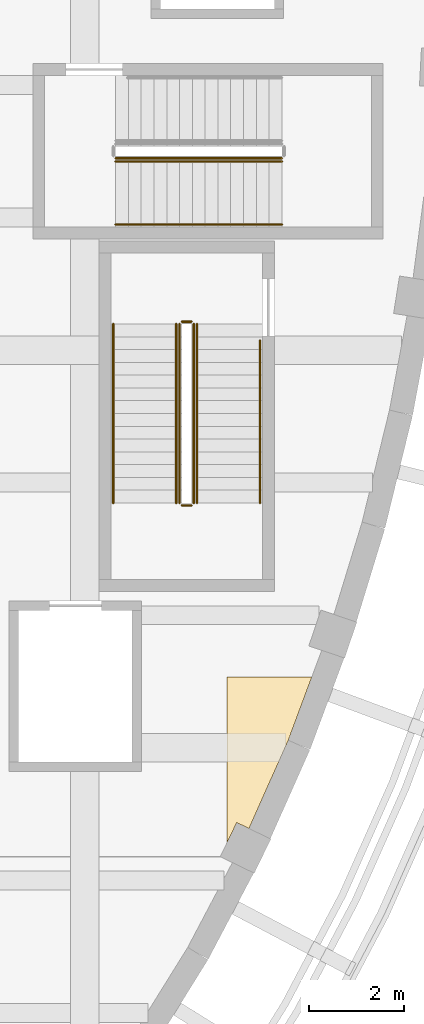
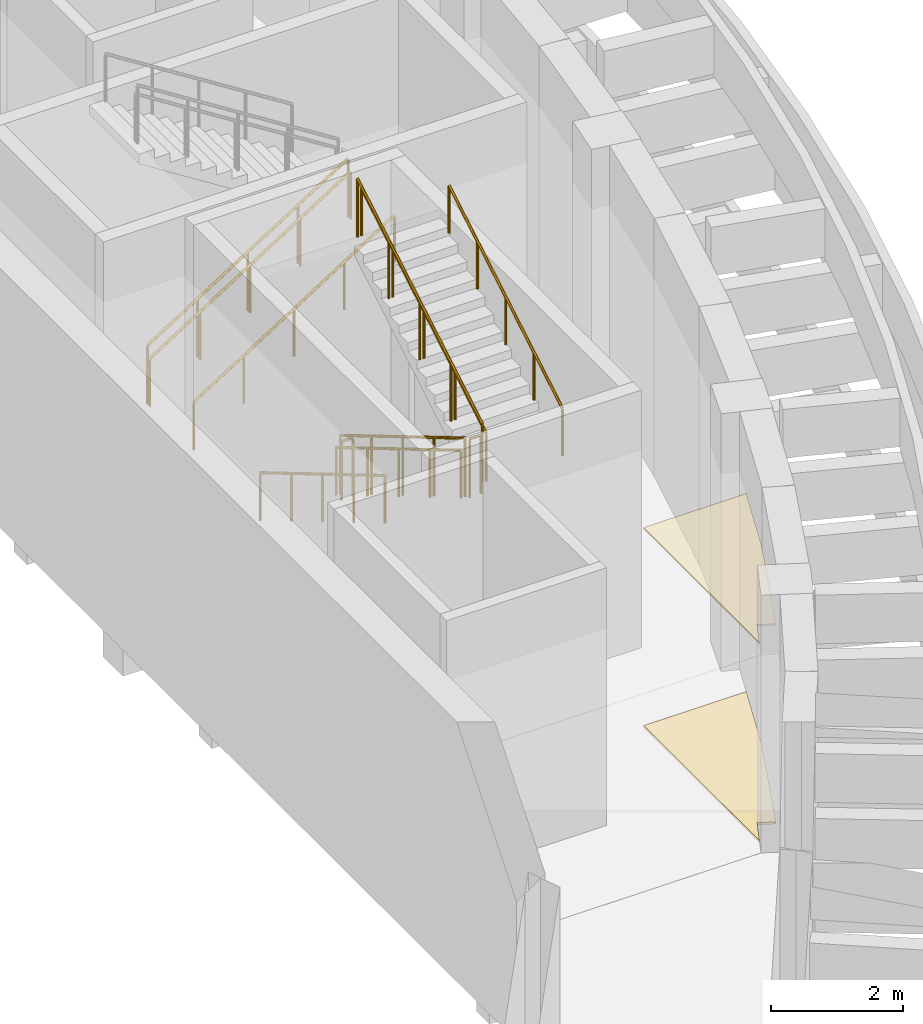
# One storey, part 30 of 37: 11 railings, 2 coverings.
"""IFC4 building model written with IfcOpenShell, lengths in metres."""

from ifc_helpers import new_model, si_unit, direction, frame, origin, origin_2d, place, context, subcontext, project, spatial, polyline, circle, outline, extrude, material, layer, layer_set, type_object, element, save


model = new_model("IFC4")

# Units and contexts
model_context = context("Model", 3, precision=1e-05, world=origin(), true_north=direction((0.0, 1.0)))
body_context = subcontext(model_context, "Body", "Model", "MODEL_VIEW")
ifc_project = project(units=[si_unit("LENGTHUNIT", "METRE"), si_unit("AREAUNIT", "SQUARE_METRE"), si_unit("VOLUMEUNIT", "CUBIC_METRE"), si_unit("PLANEANGLEUNIT", "RADIAN"), si_unit("MASSUNIT", "GRAM", prefix="KILO")], contexts=[model_context])

# Site, building, storey
site_placement = place(None, origin())
site = spatial("IfcSite", under=ifc_project, at=site_placement, CompositionType="ELEMENT")
building_placement = place(site_placement, origin())
building = spatial("IfcBuilding", under=site, at=building_placement, Name="Larchfold Concert Hall", CompositionType="ELEMENT")
storey_placement = place(building_placement, frame((0.0, 0.0, 19.199951171875)))
storey = spatial("IfcBuildingStorey", under=building, at=storey_placement, Name="L04", CompositionType="ELEMENT", Elevation=19.199951171875)

# Coverings
ifc_material_1 = material(Name="Plasterboard ceiling lining")
ifc_layer_1 = layer(ifc_material_1, 0.030029296875)
ifc_layer_set_1 = layer_set([ifc_layer_1], Name="Plasterboard ceiling lining")
covering_type_1 = type_object("IfcCoveringType", Name="Ceiling suspended plasterboard 30", PredefinedType="CEILING", material=ifc_layer_set_1)
covering_1_placement = place(storey_placement, frame((0.0, 0.0, 3.670166015625)))
element("IfcCovering", 1, at=covering_1_placement, inside=storey, type_object=covering_type_1, Name="Ceiling Hall Foyer South East", PredefinedType="CEILING", context=body_context, shape_type="SweptSolid", body=[
    extrude(outline(polyline([(62.865966796875, 66.0966796875), (63.69287109375, 67.953369140625), (64.19384765625, 69.300048828125), (62.400146484375, 69.300048828125), (62.400146484375, 65.79345703125), (62.607666015625, 66.2216796875), (62.865966796875, 66.0966796875)])), origin(), (0.0, 0.0, 1.0), 0.030029296875),
])
ifc_material_2 = material(Name="Polished terrazzo")
ifc_layer_2 = layer(ifc_material_2, 0.0400390625)
ifc_layer_set_2 = layer_set([ifc_layer_2], Name="Polished terrazzo")
covering_type_2 = type_object("IfcCoveringType", Name="Floor finish terrazzo 40", PredefinedType="FLOORING", material=ifc_layer_set_2)
covering_2_placement = place(storey_placement, origin())
element("IfcCovering", 2, at=covering_2_placement, inside=storey, type_object=covering_type_2, Name="Floor finish Hall Foyer South East", PredefinedType="FLOORING", context=body_context, shape_type="SweptSolid", body=[
    extrude(outline(polyline([(62.865966796875, 66.0966796875), (63.69287109375, 67.953369140625), (64.19384765625, 69.300048828125), (62.400146484375, 69.300048828125), (62.400146484375, 65.79345703125), (62.607666015625, 66.2216796875), (62.865966796875, 66.0966796875)])), origin(), (0.0, 0.0, 1.0), 0.0400390625),
])

# Railings
ifc_material_3 = material(Name="Stainless steel balustrade", Category="steel")
railing_type_1 = type_object("IfcRailingType", Name="Stair guard 1100", PredefinedType="GUARDRAIL", material=ifc_material_3)
railing_1_placement = place(storey_placement, frame((61.39990234375, 76.75, 0.16015625)))
element("IfcRailing", 3, at=railing_1_placement, inside=storey, type_object=railing_type_1, Name="Guard GR0023", PredefinedType="GUARDRAIL", context=body_context, shape_type="SweptSolid", body=[
    extrude(circle(Radius=0.02392578125, at=origin_2d()), frame((0.0, 0.0, 1.076171875), z_axis=(0.0, -0.860294241299, 0.509797821089), x_axis=(1.0, 0.0, 0.0)), (0.0, 0.0, 1.0), 4.393798828125),
    extrude(circle(Radius=0.02099609375, at=origin_2d()), origin(), (0.0, 0.0, 1.0), 1.052001953125),
    extrude(circle(Radius=0.02099609375, at=origin_2d()), frame((0.0, -0.945068359375, 0.56005859375)), (0.0, 0.0, 1.0), 1.052001953125),
    extrude(circle(Radius=0.02099609375, at=origin_2d()), frame((0.0, -1.89013671875, 1.1201171875)), (0.0, 0.0, 1.0), 1.052001953125),
    extrude(circle(Radius=0.02099609375, at=origin_2d()), frame((0.0, -2.8349609375, 1.679931640625)), (0.0, 0.0, 1.0), 1.052001953125),
    extrude(circle(Radius=0.02099609375, at=origin_2d()), frame((0.0, -3.780029296875, 2.239990234375)), (0.0, 0.0, 1.0), 1.052001953125),
])
railing_2_placement = place(storey_placement, frame((61.449951171875, 72.919921875, 2.400146484375)))
element("IfcRailing", 4, at=railing_2_placement, inside=storey, type_object=railing_type_1, Name="Guard GR0024", PredefinedType="GUARDRAIL", context=body_context, shape_type="SweptSolid", body=[
    extrude(circle(Radius=0.02392578125, at=origin_2d()), frame((0.0, 0.0, 1.076171875), z_axis=(1.0, 0.0, 0.0), x_axis=(0.0, 1.0, 0.0)), (0.0, 0.0, 1.0), 0.199951171875),
    extrude(circle(Radius=0.02099609375, at=origin_2d()), origin(), (0.0, 0.0, 1.0), 1.052001953125),
    extrude(circle(Radius=0.02099609375, at=origin_2d()), frame((0.199951171875, 0.0, 0.0)), (0.0, 0.0, 1.0), 1.052001953125),
])
railing_3_placement = place(storey_placement, frame((61.699951171875, 72.969970703125, 2.56005859375)))
element("IfcRailing", 5, at=railing_3_placement, inside=storey, type_object=railing_type_1, Name="Guard GR0025", PredefinedType="GUARDRAIL", context=body_context, shape_type="SweptSolid", body=[
    extrude(circle(Radius=0.02392578125, at=origin_2d()), frame((0.0, 0.0, 1.076171875), z_axis=(0.0, 0.860294241299, 0.509797821089), x_axis=(-1.0, 0.0, 0.0)), (0.0, 0.0, 1.0), 4.393798828125),
    extrude(circle(Radius=0.02099609375, at=origin_2d()), origin(), (0.0, 0.0, 1.0), 1.052001953125),
    extrude(circle(Radius=0.02099609375, at=origin_2d()), frame((0.0, 0.945068359375, 0.56005859375)), (0.0, 0.0, 1.0), 1.052001953125),
    extrude(circle(Radius=0.02099609375, at=origin_2d()), frame((0.0, 1.89013671875, 1.1201171875)), (0.0, 0.0, 1.0), 1.052001953125),
    extrude(circle(Radius=0.02099609375, at=origin_2d()), frame((0.0, 2.8349609375, 1.679931640625)), (0.0, 0.0, 1.0), 1.052001953125),
    extrude(circle(Radius=0.02099609375, at=origin_2d()), frame((0.0, 3.780029296875, 2.239990234375)), (0.0, 0.0, 1.0), 1.052001953125),
])
railing_4_placement = place(storey_placement, frame((61.449951171875, 76.800048828125, 0.0)))
element("IfcRailing", 6, at=railing_4_placement, inside=storey, type_object=railing_type_1, Name="Guard GR0026", PredefinedType="GUARDRAIL", context=body_context, shape_type="SweptSolid", body=[
    extrude(circle(Radius=0.02392578125, at=origin_2d()), frame((0.0, 0.0, 1.076171875), z_axis=(1.0, 0.0, 0.0), x_axis=(0.0, 1.0, 0.0)), (0.0, 0.0, 1.0), 0.199951171875),
    extrude(circle(Radius=0.02099609375, at=origin_2d()), origin(), (0.0, 0.0, 1.0), 1.052001953125),
    extrude(circle(Radius=0.02099609375, at=origin_2d()), frame((0.199951171875, 0.0, 0.0)), (0.0, 0.0, 1.0), 1.052001953125),
])
railing_5_placement = place(storey_placement, frame((60.050048828125, 80.25, 0.17138671875)))
element("IfcRailing", 7, at=railing_5_placement, inside=storey, type_object=railing_type_1, Name="Guard GR0031", PredefinedType="GUARDRAIL", context=body_context, shape_type="SweptSolid", body=[
    extrude(circle(Radius=0.02392578125, at=origin_2d()), frame((0.0, 0.0, 1.076171875), z_axis=(0.844192992368, 0.0, 0.536039356425), x_axis=(0.0, 1.0, 0.0)), (0.0, 0.0, 1.0), 4.15771484375),
    extrude(circle(Radius=0.02099609375, at=origin_2d()), origin(), (0.0, 0.0, 1.0), 1.052001953125),
    extrude(circle(Radius=0.02099609375, at=origin_2d()), frame((0.87744140625, 0.0, 0.55712890625)), (0.0, 0.0, 1.0), 1.052001953125),
    extrude(circle(Radius=0.02099609375, at=origin_2d()), frame((1.7548828125, 0.0, 1.1142578125)), (0.0, 0.0, 1.0), 1.052001953125),
    extrude(circle(Radius=0.02099609375, at=origin_2d()), frame((2.632568359375, 0.0, 1.671630859375)), (0.0, 0.0, 1.0), 1.052001953125),
    extrude(circle(Radius=0.02099609375, at=origin_2d()), frame((3.510009765625, 0.0, 2.228759765625)), (0.0, 0.0, 1.0), 1.052001953125),
])
ifc_material_4 = material(Name="Stainless steel handrail", Category="steel")
railing_type_2 = type_object("IfcRailingType", Name="Stair handrail 900", PredefinedType="HANDRAIL", material=ifc_material_4)
railing_6_placement = place(storey_placement, frame((60.0, 76.75, 0.16015625)))
element("IfcRailing", 8, at=railing_6_placement, inside=storey, type_object=railing_type_2, Name="Handrail HR0021", PredefinedType="HANDRAIL", context=body_context, shape_type="SweptSolid", body=[
    extrude(circle(Radius=0.02392578125, at=origin_2d()), frame((0.0, 0.0, 0.8759765625), z_axis=(0.0, -0.860294241299, 0.509797821089), x_axis=(1.0, 0.0, 0.0)), (0.0, 0.0, 1.0), 4.393798828125),
    extrude(circle(Radius=0.02099609375, at=origin_2d()), origin(), (0.0, 0.0, 1.0), 0.851806640625),
    extrude(circle(Radius=0.02099609375, at=origin_2d()), frame((0.0, -0.945068359375, 0.56005859375)), (0.0, 0.0, 1.0), 0.851806640625),
    extrude(circle(Radius=0.02099609375, at=origin_2d()), frame((0.0, -1.89013671875, 1.1201171875)), (0.0, 0.0, 1.0), 0.851806640625),
    extrude(circle(Radius=0.02099609375, at=origin_2d()), frame((0.0, -2.8349609375, 1.679931640625)), (0.0, 0.0, 1.0), 0.851806640625),
    extrude(circle(Radius=0.02099609375, at=origin_2d()), frame((0.0, -3.780029296875, 2.239990234375)), (0.0, 0.0, 1.0), 0.851806640625),
])
railing_7_placement = place(storey_placement, frame((63.10009765625, 72.969970703125, 2.56005859375)))
element("IfcRailing", 9, at=railing_7_placement, inside=storey, type_object=railing_type_2, Name="Handrail HR0022", PredefinedType="HANDRAIL", context=body_context, shape_type="SweptSolid", body=[
    extrude(circle(Radius=0.02392578125, at=origin_2d()), frame((0.0, 0.0, 0.8759765625), z_axis=(0.0, 0.860300485727, 0.509787283342), x_axis=(-1.0, 0.0, 0.0)), (0.0, 0.0, 1.0), 3.98681640625),
    extrude(circle(Radius=0.02099609375, at=origin_2d()), origin(), (0.0, 0.0, 1.0), 0.851806640625),
    extrude(circle(Radius=0.02099609375, at=origin_2d()), frame((0.0, 0.857421875, 0.508056640625)), (0.0, 0.0, 1.0), 0.851806640625),
    extrude(circle(Radius=0.02099609375, at=origin_2d()), frame((0.0, 1.71484375, 1.01611328125)), (0.0, 0.0, 1.0), 0.851806640625),
    extrude(circle(Radius=0.02099609375, at=origin_2d()), frame((0.0, 2.572509765625, 1.5244140625)), (0.0, 0.0, 1.0), 0.851806640625),
    extrude(circle(Radius=0.02099609375, at=origin_2d()), frame((0.0, 3.429931640625, 2.032470703125)), (0.0, 0.0, 1.0), 0.851806640625),
])
railing_8_placement = place(storey_placement, frame((61.329833984375, 76.75, 0.16015625)))
element("IfcRailing", 10, at=railing_8_placement, inside=storey, type_object=railing_type_2, Name="Handrail HR0023", PredefinedType="HANDRAIL", context=body_context, shape_type="SweptSolid", body=[
    extrude(circle(Radius=0.02392578125, at=origin_2d()), frame((0.0, 0.0, 0.8759765625), z_axis=(0.0, -0.860294241299, 0.509797821089), x_axis=(1.0, 0.0, 0.0)), (0.0, 0.0, 1.0), 4.393798828125),
    extrude(circle(Radius=0.02099609375, at=origin_2d()), origin(), (0.0, 0.0, 1.0), 0.851806640625),
    extrude(circle(Radius=0.02099609375, at=origin_2d()), frame((0.0, -0.945068359375, 0.56005859375)), (0.0, 0.0, 1.0), 0.851806640625),
    extrude(circle(Radius=0.02099609375, at=origin_2d()), frame((0.0, -1.89013671875, 1.1201171875)), (0.0, 0.0, 1.0), 0.851806640625),
    extrude(circle(Radius=0.02099609375, at=origin_2d()), frame((0.0, -2.8349609375, 1.679931640625)), (0.0, 0.0, 1.0), 0.851806640625),
    extrude(circle(Radius=0.02099609375, at=origin_2d()), frame((0.0, -3.780029296875, 2.239990234375)), (0.0, 0.0, 1.0), 0.851806640625),
])
railing_9_placement = place(storey_placement, frame((61.77001953125, 72.969970703125, 2.56005859375)))
element("IfcRailing", 11, at=railing_9_placement, inside=storey, type_object=railing_type_2, Name="Handrail HR0024", PredefinedType="HANDRAIL", context=body_context, shape_type="SweptSolid", body=[
    extrude(circle(Radius=0.02392578125, at=origin_2d()), frame((0.0, 0.0, 0.8759765625), z_axis=(0.0, 0.860294241299, 0.509797821089), x_axis=(-1.0, 0.0, 0.0)), (0.0, 0.0, 1.0), 4.393798828125),
    extrude(circle(Radius=0.02099609375, at=origin_2d()), origin(), (0.0, 0.0, 1.0), 0.851806640625),
    extrude(circle(Radius=0.02099609375, at=origin_2d()), frame((0.0, 0.945068359375, 0.56005859375)), (0.0, 0.0, 1.0), 0.851806640625),
    extrude(circle(Radius=0.02099609375, at=origin_2d()), frame((0.0, 1.89013671875, 1.1201171875)), (0.0, 0.0, 1.0), 0.851806640625),
    extrude(circle(Radius=0.02099609375, at=origin_2d()), frame((0.0, 2.8349609375, 1.679931640625)), (0.0, 0.0, 1.0), 0.851806640625),
    extrude(circle(Radius=0.02099609375, at=origin_2d()), frame((0.0, 3.780029296875, 2.239990234375)), (0.0, 0.0, 1.0), 0.851806640625),
])
for number, where, name in (
    (12, (60.050048828125, 78.85009765625, 0.17138671875), "Handrail HR0029"),
    (13, (60.050048828125, 80.179931640625, 0.17138671875), "Handrail HR0031"),
):
    element("IfcRailing", number, at=place(storey_placement, frame(where)), inside=storey, type_object=railing_type_2, Name=name, PredefinedType="HANDRAIL", context=body_context, shape_type="SweptSolid", body=[
        extrude(circle(Radius=0.02392578125, at=origin_2d()), frame((0.0, 0.0, 0.8759765625), z_axis=(0.844192992368, 0.0, 0.536039356425), x_axis=(0.0, 1.0, 0.0)), (0.0, 0.0, 1.0), 4.15771484375),
        extrude(circle(Radius=0.02099609375, at=origin_2d()), origin(), (0.0, 0.0, 1.0), 0.851806640625),
        extrude(circle(Radius=0.02099609375, at=origin_2d()), frame((0.87744140625, 0.0, 0.55712890625)), (0.0, 0.0, 1.0), 0.851806640625),
        extrude(circle(Radius=0.02099609375, at=origin_2d()), frame((1.7548828125, 0.0, 1.1142578125)), (0.0, 0.0, 1.0), 0.851806640625),
        extrude(circle(Radius=0.02099609375, at=origin_2d()), frame((2.632568359375, 0.0, 1.671630859375)), (0.0, 0.0, 1.0), 0.851806640625),
        extrude(circle(Radius=0.02099609375, at=origin_2d()), frame((3.510009765625, 0.0, 2.228759765625)), (0.0, 0.0, 1.0), 0.851806640625),
    ])

save(model, "model.ifc")
